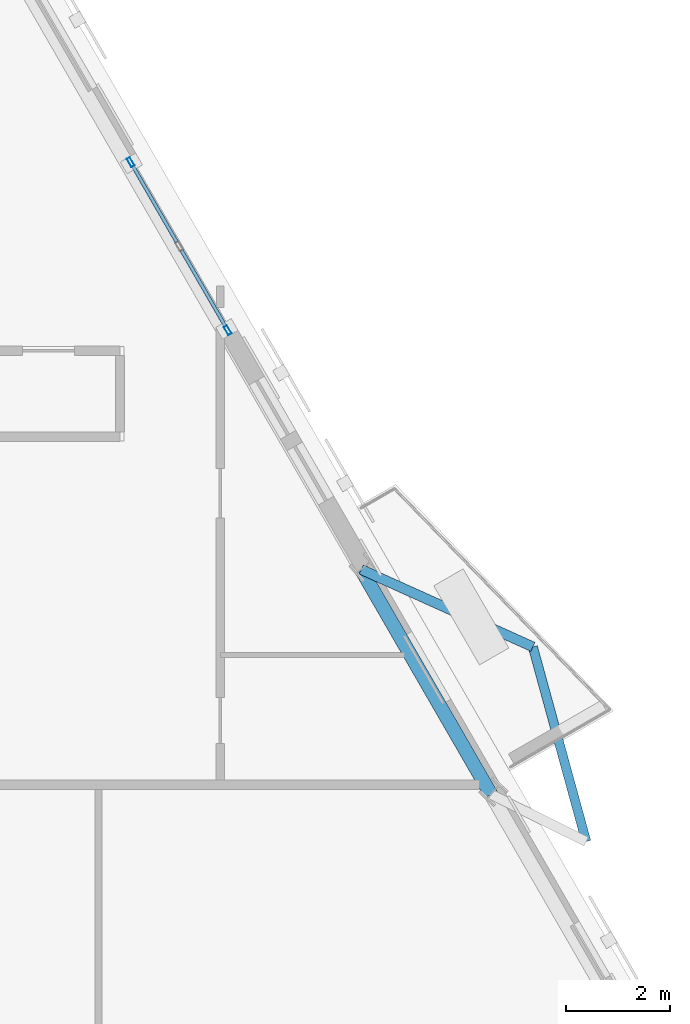
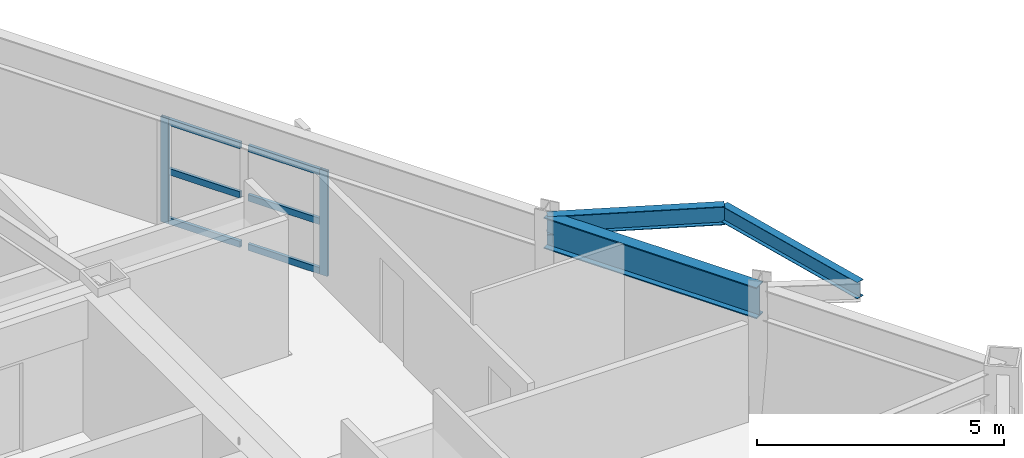
# One storey, part 4 of 14: 8 members, 3 beams, 1 element without a shape of its own.
"""IFC4 building model written with IfcOpenShell, lengths in metres."""

from ifc_helpers import new_model, si_unit, direction, frame, origin, origin_2d, place, context, subcontext, project, spatial, hollow_rectangle, i_section, extrude, material, layer, layer_set, material_profile, profile_set, type_object, element, aggregate, save


model = new_model("IFC4")

# Units and contexts
model_context = context("Model", 3, precision=1e-05, world=origin(), true_north=direction((0.0, 1.0)))
body_context = subcontext(model_context, "Body", "Model", "MODEL_VIEW")
ifc_project = project(units=[si_unit("LENGTHUNIT", "METRE"), si_unit("AREAUNIT", "SQUARE_METRE"), si_unit("VOLUMEUNIT", "CUBIC_METRE"), si_unit("PLANEANGLEUNIT", "RADIAN"), si_unit("MASSUNIT", "GRAM", prefix="KILO")], contexts=[model_context])

# Site, building, storey
site_placement = place(None, origin())
site = spatial("IfcSite", under=ifc_project, at=site_placement, CompositionType="ELEMENT")
building_placement = place(site_placement, origin())
building = spatial("IfcBuilding", under=site, at=building_placement, Name="Oramaril Tower", CompositionType="ELEMENT")
storey_placement = place(building_placement, frame((0.0, 0.0, 149.39990234375)))
storey = spatial("IfcBuildingStorey", under=building, at=storey_placement, Name="L39", CompositionType="ELEMENT", Elevation=149.39990234375)

# Beams
ifc_material_1 = material(Name="Steel ASTM A572 Gr 50", Category="steel")
ifc_material_profile_1 = material_profile(ifc_material_1, i_section(OverallWidth=0.19091796875, OverallDepth=0.45703125, WebThickness=0.009033203125, FlangeThickness=0.014404296875, at=origin_2d()), Name="W18X50")
ifc_profile_set_1 = profile_set([ifc_material_profile_1], Name="Steel ASTM A572 Gr 50")
beam_type_1 = type_object("IfcBeamType", Name="BT-BB1", PredefinedType="BEAM", material=ifc_profile_set_1)
beam_1_placement = place(storey_placement, frame((54.62109375, 21.77734375, 3.151611328125), z_axis=(0.911606137835, -0.411064775262, 0.0), x_axis=(0.411064775262, 0.911606137835, 0.0)))
element("IfcBeam", 1, at=beam_1_placement, inside=storey, type_object=beam_type_1, Name="L39 Balcony Column-Framed Cantilever 03.2", PredefinedType="BEAM", context=body_context, shape_type="SweptSolid", body=[
    extrude(i_section(OverallWidth=0.19091796875, OverallDepth=0.45703125, WebThickness=0.009033203125, FlangeThickness=0.014404296875, at=origin_2d()), origin(), (0.0, 0.0, 1.0), 3.60986328125),
])
ifc_material_2 = material(Name="Steel ASTM A572 Gr 50", Category="steel")
ifc_material_profile_2 = material_profile(ifc_material_2, i_section(OverallWidth=0.177978515625, OverallDepth=0.404052734375, WebThickness=0.007568359375, FlangeThickness=0.010986328125, at=origin_2d()), Name="W16X36")
ifc_profile_set_2 = profile_set([ifc_material_profile_2], Name="Steel ASTM A572 Gr 50")
beam_type_2 = type_object("IfcBeamType", Name="BT-SB1", PredefinedType="BEAM", material=ifc_profile_set_2)
beam_2_placement = place(storey_placement, frame((58.935302734375, 16.56103515625, 3.177978515625), z_axis=(-0.264440915482, 0.964401888332, 0.0), x_axis=(-0.964401888332, -0.264440915482, 0.0)))
element("IfcBeam", 2, at=beam_2_placement, inside=storey, type_object=beam_type_2, Name="L39 Balcony Edge Tie Beam 03", PredefinedType="BEAM", context=body_context, shape_type="SweptSolid", body=[
    extrude(i_section(OverallWidth=0.177978515625, OverallDepth=0.404052734375, WebThickness=0.007568359375, FlangeThickness=0.010986328125, at=origin_2d()), origin(), (0.0, 0.0, 1.0), 3.8701171875),
])
ifc_material_3 = material(Name="Steel ASTM A572 Gr 50", Category="steel")
ifc_material_profile_3 = material_profile(ifc_material_3, i_section(OverallWidth=0.26708984375, OverallDepth=0.77001953125, WebThickness=0.015625, FlangeThickness=0.025390625, at=origin_2d()), Name="W30X132")
ifc_profile_set_3 = profile_set([ifc_material_profile_3], Name="Steel ASTM A572 Gr 50")
beam_type_3 = type_object("IfcBeamType", Name="BT-SP3", PredefinedType="SPANDREL", material=ifc_profile_set_3)
beam_3_placement = place(storey_placement, frame((57.10888671875, 17.468505859375, 2.9951171875), z_axis=(-0.500012700186, 0.866018071205, 0.0), x_axis=(-0.866018071205, -0.500012700186, 0.0)))
element("IfcBeam", 3, at=beam_3_placement, inside=storey, type_object=beam_type_3, Name="L39 Perimeter Spandrel 09", PredefinedType="SPANDREL", context=body_context, shape_type="SweptSolid", body=[
    extrude(i_section(OverallWidth=0.26708984375, OverallDepth=0.77001953125, WebThickness=0.015625, FlangeThickness=0.025390625, at=origin_2d()), origin(), (0.0, 0.0, 1.0), 4.975341796875),
])

# Curtain wall, members
ifc_material_4 = material(Name="Anodised Aluminium 6063-T6", Category="aluminium")
ifc_layer = layer(ifc_material_4, 0.179931640625)
ifc_layer_set = layer_set([ifc_layer], Name="CWT-SYS3")
curtain_wall_type = type_object("IfcCurtainWallType", Name="CWT-SYS3", PredefinedType="NOTDEFINED", material=ifc_layer_set)
curtain_wall_placement = place(storey_placement, origin())
curtain_wall = element("IfcCurtainWall", 4, at=curtain_wall_placement, inside=storey, type_object=curtain_wall_type, Name="L39 Unitised Curtain Wall CW-3", PredefinedType="NOTDEFINED")
ifc_material_5 = material(Name="Anodised Aluminium 6063-T6", Category="aluminium")
ifc_material_profile_4 = material_profile(ifc_material_5, hollow_rectangle(XDim=0.070068359375, YDim=0.179931640625, WallThickness=0.00390625, at=origin_2d()), Name="CWM180X70")
ifc_profile_set_4 = profile_set([ifc_material_profile_4], Name="Anodised Aluminium 6063-T6")
member_type_1 = type_object("IfcMemberType", Name="MT-CWM2", PredefinedType="MULLION", material=ifc_profile_set_4)
member_1_placement = place(storey_placement, frame((52.06396484375, 26.36083984375, 0.0), z_axis=(0.0, 0.0, 1.0), x_axis=(-0.866025463091, -0.499999897278, 0.0)))
member_1 = element("IfcMember", 5, at=member_1_placement, type_object=member_type_1, Name="CW-3 mullion 1", PredefinedType="MULLION", context=body_context, shape_type="SweptSolid", body=[
    extrude(hollow_rectangle(XDim=0.070068359375, YDim=0.179931640625, WallThickness=0.00390625, at=origin_2d()), origin(), (0.0, 0.0, 1.0), 2.60009765625),
])
member_2_placement = place(storey_placement, frame((50.2041015625, 29.58251953125, 0.0), z_axis=(0.0, 0.0, 1.0), x_axis=(-0.866025463091, -0.499999897278, 0.0)))
member_2 = element("IfcMember", 6, at=member_2_placement, type_object=member_type_1, Name="CW-3 mullion 3", PredefinedType="MULLION", context=body_context, shape_type="SweptSolid", body=[
    extrude(hollow_rectangle(XDim=0.070068359375, YDim=0.179931640625, WallThickness=0.00390625, at=origin_2d()), origin(), (0.0, 0.0, 1.0), 2.60009765625),
])
ifc_material_6 = material(Name="Anodised Aluminium 6063-T6", Category="aluminium")
ifc_material_profile_5 = material_profile(ifc_material_6, hollow_rectangle(XDim=0.070068359375, YDim=0.159912109375, WallThickness=0.00390625, at=origin_2d()), Name="CWT160X70")
ifc_profile_set_5 = profile_set([ifc_material_profile_5], Name="Anodised Aluminium 6063-T6")
member_type_2 = type_object("IfcMemberType", Name="MT-CWT1", PredefinedType="USERDEFINED", material=ifc_profile_set_5)
member_3_placement = place(storey_placement, frame((52.01904296875, 26.438720703125, 0.080078125), z_axis=(-0.499999171277, 0.866025882247, 0.0), x_axis=(-0.866025882247, -0.499999171277, 0.0)))
member_3 = element("IfcMember", 7, at=member_3_placement, type_object=member_type_2, Name="CW-3 transom 1.1", ObjectType="TRANSOM", PredefinedType="USERDEFINED", context=body_context, shape_type="SweptSolid", body=[
    extrude(hollow_rectangle(XDim=0.070068359375, YDim=0.159912109375, WallThickness=0.00390625, at=origin_2d()), origin(), (0.0, 0.0, 1.0), 1.68017578125),
])
member_4_placement = place(storey_placement, frame((52.01904296875, 26.438720703125, 1.300048828125), z_axis=(-0.499999171277, 0.866025882247, 0.0), x_axis=(-0.866025882247, -0.499999171277, 0.0)))
member_4 = element("IfcMember", 8, at=member_4_placement, type_object=member_type_2, Name="CW-3 transom 1.2", ObjectType="TRANSOM", PredefinedType="USERDEFINED", context=body_context, shape_type="SweptSolid", body=[
    extrude(hollow_rectangle(XDim=0.070068359375, YDim=0.159912109375, WallThickness=0.00390625, at=origin_2d()), origin(), (0.0, 0.0, 1.0), 1.68017578125),
])
member_5_placement = place(storey_placement, frame((52.01904296875, 26.438720703125, 2.52001953125), z_axis=(-0.499999171277, 0.866025882247, 0.0), x_axis=(-0.866025882247, -0.499999171277, 0.0)))
member_5 = element("IfcMember", 9, at=member_5_placement, type_object=member_type_2, Name="CW-3 transom 1.3", ObjectType="TRANSOM", PredefinedType="USERDEFINED", context=body_context, shape_type="SweptSolid", body=[
    extrude(hollow_rectangle(XDim=0.070068359375, YDim=0.159912109375, WallThickness=0.00390625, at=origin_2d()), origin(), (0.0, 0.0, 1.0), 1.68017578125),
])
member_6_placement = place(storey_placement, frame((51.089111328125, 28.049560546875, 0.080078125), z_axis=(-0.500062097304, 0.865989548921, 0.0), x_axis=(-0.865989548921, -0.500062097304, 0.0)))
member_6 = element("IfcMember", 10, at=member_6_placement, type_object=member_type_2, Name="CW-3 transom 2.1", ObjectType="TRANSOM", PredefinedType="USERDEFINED", context=body_context, shape_type="SweptSolid", body=[
    extrude(hollow_rectangle(XDim=0.070068359375, YDim=0.159912109375, WallThickness=0.00390625, at=origin_2d()), origin(), (0.0, 0.0, 1.0), 1.679931640625),
])
member_7_placement = place(storey_placement, frame((51.089111328125, 28.049560546875, 1.300048828125), z_axis=(-0.500062097304, 0.865989548921, 0.0), x_axis=(-0.865989548921, -0.500062097304, 0.0)))
member_7 = element("IfcMember", 11, at=member_7_placement, type_object=member_type_2, Name="CW-3 transom 2.2", ObjectType="TRANSOM", PredefinedType="USERDEFINED", context=body_context, shape_type="SweptSolid", body=[
    extrude(hollow_rectangle(XDim=0.070068359375, YDim=0.159912109375, WallThickness=0.00390625, at=origin_2d()), origin(), (0.0, 0.0, 1.0), 1.679931640625),
])
member_8_placement = place(storey_placement, frame((51.089111328125, 28.049560546875, 2.52001953125), z_axis=(-0.500062097304, 0.865989548921, 0.0), x_axis=(-0.865989548921, -0.500062097304, 0.0)))
member_8 = element("IfcMember", 12, at=member_8_placement, type_object=member_type_2, Name="CW-3 transom 2.3", ObjectType="TRANSOM", PredefinedType="USERDEFINED", context=body_context, shape_type="SweptSolid", body=[
    extrude(hollow_rectangle(XDim=0.070068359375, YDim=0.159912109375, WallThickness=0.00390625, at=origin_2d()), origin(), (0.0, 0.0, 1.0), 1.679931640625),
])
aggregate(curtain_wall, [member_1, member_2, member_3, member_4, member_5, member_6, member_7, member_8])

save(model, "model.ifc")
